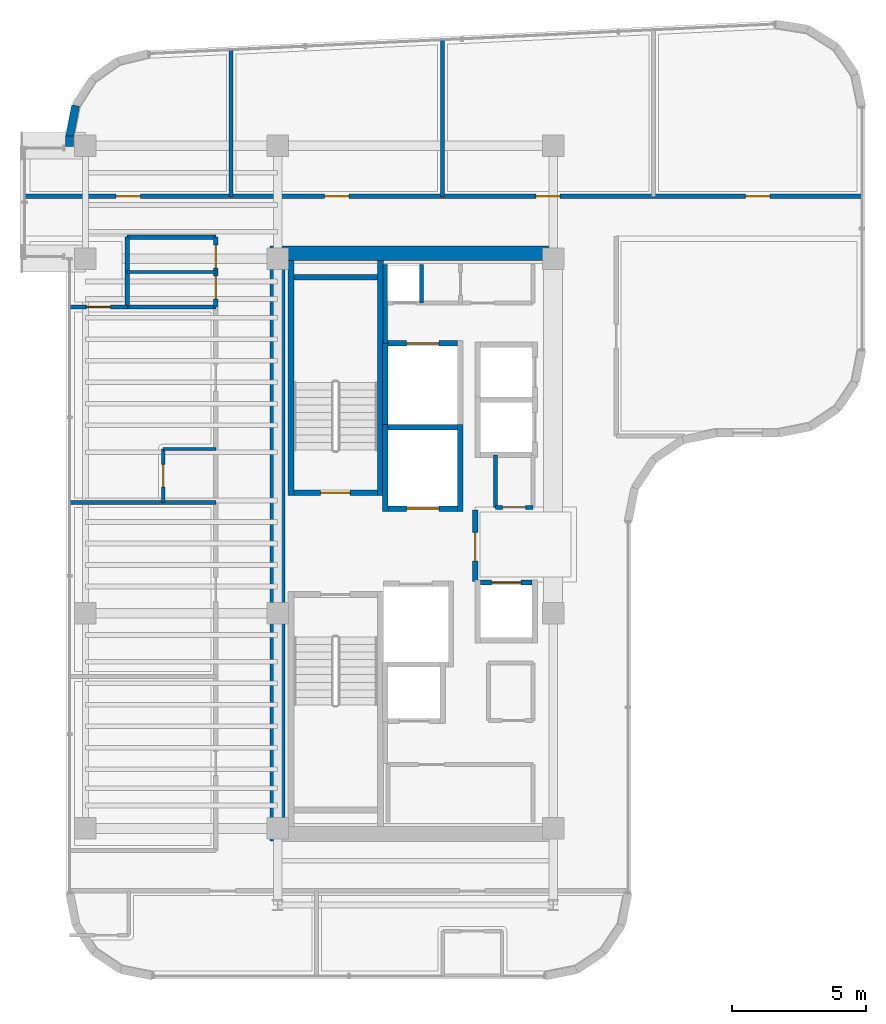
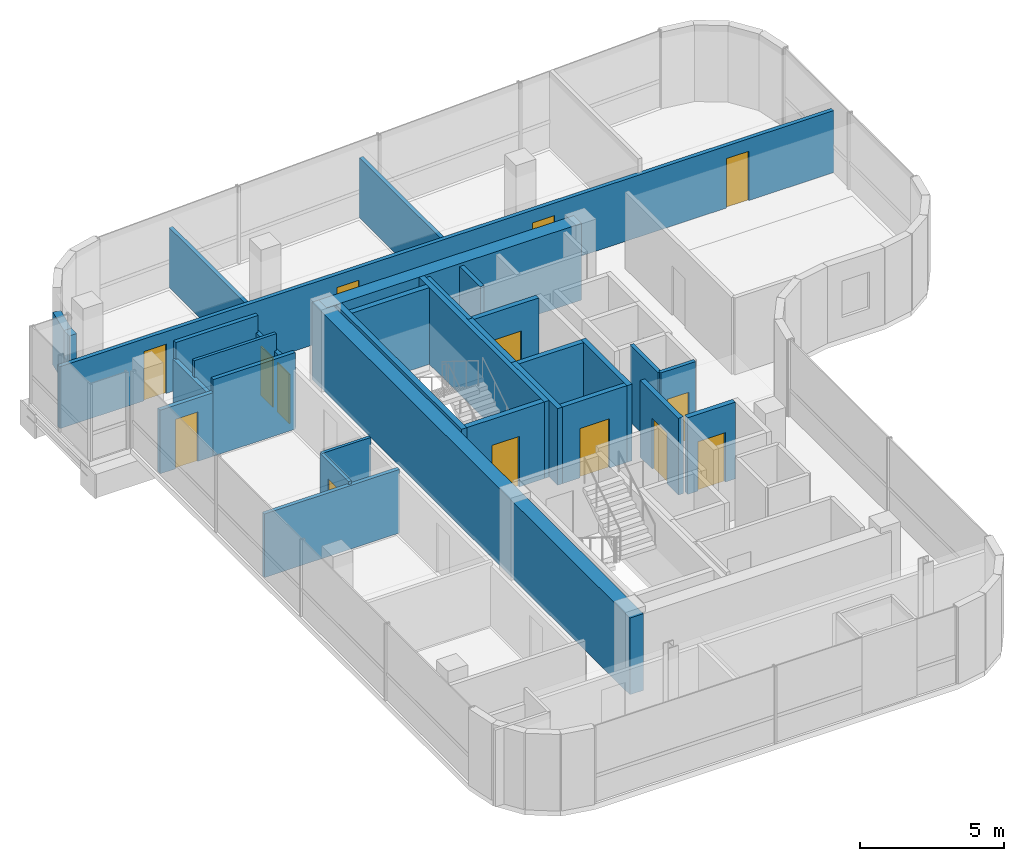
# One storey, part 17 of 21: 32 walls, 14 doors, 14 openings.
"""IFC4 building model written with IfcOpenShell, lengths in metres."""

import ifcopenshell
import ifcopenshell.guid

model = None  # the IFC model being written
_history = None  # IfcOwnerHistory: only IFC2X3 demands one
_inside = {}  # id of a spatial element -> (the spatial element, [elements in it])
_under = {}  # id of a project, library or spatial element -> (it, [spatial elements below it])
_declared = {}  # id of a project -> (the project, [libraries it declares])
_typed = {}  # id of a type object -> (the type object, [elements of that type])
_made_of = {}  # id of a material, layer set ... -> (it, [elements and type objects made of it])


def new_model(schema):
    """Start an empty IFC model of exactly this schema.

    Asked for "IFC4X3", IfcOpenShell would pick the latest addendum, in which some entities
    have other attributes; the version numbers below select the first issue.
    IFC2X3 requires an IfcOwnerHistory on every rooted entity: one is made here for all.
    """
    global model, _history
    if schema == "IFC4X3":
        model = ifcopenshell.file(schema_version=(4, 3, 0, 0))
    else:
        model = ifcopenshell.file(schema=schema)
    _inside.clear()
    _under.clear()
    _declared.clear()
    _typed.clear()
    _made_of.clear()
    _history = None
    if model.schema == "IFC2X3":
        org = make("IfcOrganization", Name="unknown")
        user = make(
            "IfcPersonAndOrganization",
            ThePerson=make("IfcPerson", FamilyName="unknown"),
            TheOrganization=org,
        )
        app = make(
            "IfcApplication",
            ApplicationDeveloper=org,
            Version="unknown",
            ApplicationFullName="unknown",
            ApplicationIdentifier="unknown",
        )
        _history = make(
            "IfcOwnerHistory",
            OwningUser=user,
            OwningApplication=app,
            ChangeAction="ADDED",
            CreationDate=0,
        )
    return model


def make(cls, **values):
    """One entity of the class cls with the attributes given. An attribute that is None is left unset."""
    return model.create_entity(
        cls, **{name: value for name, value in values.items() if value is not None}
    )


def rooted(cls, **values):
    """An entity with a GlobalId (a new one), such as an element, a storey or a relation."""
    return make(cls, GlobalId=ifcopenshell.guid.new(), OwnerHistory=_history, **values)


def si_unit(unit_type, name, prefix=None):
    """IfcSIUnit, for example si_unit("LENGTHUNIT", "METRE", prefix="MILLI")."""
    return make("IfcSIUnit", UnitType=unit_type, Prefix=prefix, Name=name)


def assignment(units):
    """IfcUnitAssignment: the units of a project."""
    return None if units is None else make("IfcUnitAssignment", Units=units)


def point(xyz):
    """IfcCartesianPoint."""
    return None if xyz is None else make("IfcCartesianPoint", Coordinates=xyz)


def direction(xyz):
    """IfcDirection."""
    return None if xyz is None else make("IfcDirection", DirectionRatios=xyz)


def frame(location, z_axis=None, x_axis=None):
    """IfcAxis2Placement3D, a coordinate frame: its origin and axes. An axis left out is left unset."""
    return make(
        "IfcAxis2Placement3D",
        Location=point(location),
        Axis=direction(z_axis),
        RefDirection=direction(x_axis),
    )


def frame_2d(location, x_axis=None):
    """IfcAxis2Placement2D, a coordinate frame in the plane: its origin and x axis."""
    return make(
        "IfcAxis2Placement2D", Location=point(location), RefDirection=direction(x_axis)
    )


def origin():
    """The frame at (0, 0, 0) with its axes left unset."""
    return frame((0.0, 0.0, 0.0))


def place(relative_to, where):
    """IfcLocalPlacement: puts the frame where relative to a parent placement (None: the world)."""
    return make(
        "IfcLocalPlacement", PlacementRelTo=relative_to, RelativePlacement=where
    )


def context(
    kind, dimensions, precision=None, world=None, true_north=None, identifier=None
):
    """IfcGeometricRepresentationContext, for example the 3D "Model" context."""
    return make(
        "IfcGeometricRepresentationContext",
        ContextIdentifier=identifier,
        ContextType=kind,
        CoordinateSpaceDimension=dimensions,
        Precision=precision,
        WorldCoordinateSystem=world,
        TrueNorth=true_north,
    )


def subcontext(parent, identifier, kind, view, scale=None):
    """IfcGeometricRepresentationSubContext, for example "Body" below "Model"."""
    return make(
        "IfcGeometricRepresentationSubContext",
        ContextIdentifier=identifier,
        ContextType=kind,
        ParentContext=parent,
        TargetScale=scale,
        TargetView=view,
    )


def project(units=None, contexts=None):
    """IfcProject with its units and contexts."""
    return rooted(
        "IfcProject",
        Name="project",
        RepresentationContexts=contexts,
        UnitsInContext=assignment(units),
    )


def spatial(cls, under=None, at=None, **own):
    """A site, building, storey or space (cls), placed at a placement, below another one or the project."""
    s = rooted(cls, ObjectPlacement=at, **own)
    if under is not None:
        _under.setdefault(under.id(), (under, []))[1].append(s)
    return s


def profile(cls, at=None, kind="AREA", **sizes):
    """A parametric profile (cls). Its sizes go by their IFC names, for example OverallWidth=200.0."""
    return make(cls, ProfileType=kind, Position=at, **sizes)


def rectangle(**sizes):
    """IfcRectangleProfileDef."""
    return profile("IfcRectangleProfileDef", **sizes)


def extrude(swept, where, along, depth):
    """IfcExtrudedAreaSolid: the profile swept, set in the frame where, extruded along a direction by depth."""
    return make(
        "IfcExtrudedAreaSolid",
        SweptArea=swept,
        Position=where,
        ExtrudedDirection=direction(along),
        Depth=depth,
    )


def shape(context_of_items, identifier, shape_type, items):
    """IfcShapeRepresentation: the items that make up one representation, for example the "Body"."""
    return make(
        "IfcShapeRepresentation",
        ContextOfItems=context_of_items,
        RepresentationIdentifier=identifier,
        RepresentationType=shape_type,
        Items=items,
    )


def material(Name=None, Category=None):
    """IfcMaterial."""
    return make("IfcMaterial", Name=Name, Category=Category)


def layer(
    of_material, thickness, ventilated=None, Name=None, Category=None, Priority=None
):
    """IfcMaterialLayer: one layer of a wall or slab, of a material (None: an air gap)."""
    return make(
        "IfcMaterialLayer",
        Material=of_material,
        LayerThickness=thickness,
        IsVentilated=ventilated,
        Name=Name,
        Category=Category,
        Priority=Priority,
    )


def layer_set(layers, Name=None):
    """IfcMaterialLayerSet."""
    return make("IfcMaterialLayerSet", MaterialLayers=layers, LayerSetName=Name)


def made_of(thing, what):
    """Note that an element or type object is made of a material, layer set ...; save() writes the relation."""
    if what is not None:
        _made_of.setdefault(what.id(), (what, []))[1].append(thing)
    return thing


def type_object(cls, material=None, **own):
    """A type object (cls), such as IfcWallType, which elements share."""
    return made_of(rooted(cls, **own), material)


def element(
    cls,
    number,
    at=None,
    inside=None,
    cuts=None,
    type_object=None,
    material=None,
    context=None,
    identifier="Body",
    shape_type=None,
    held_by="IfcProductDefinitionShape",
    body=None,
    shapes=None,
    **own,
):
    """One element of the class cls, such as IfcWall. Its Tag is "e" and its number.

    at: its placement. inside: the storey or other place that contains it. cuts: it is an
    opening in that element (IfcRelVoidsElement). A single representation is given by context,
    identifier, shape_type and body (its items); several are given by shapes. held_by: the class
    of the entity that holds the representations. save() writes the other relations.
    """
    e = rooted(cls, Tag="e%d" % number, ObjectPlacement=at, **own)
    if body is not None:
        shapes = [shape(context, identifier, shape_type, body)]
    if shapes is not None:
        e.Representation = make(held_by, Representations=shapes)
    if inside is not None:
        _inside.setdefault(inside.id(), (inside, []))[1].append(e)
    if cuts is not None:
        rooted(
            "IfcRelVoidsElement", RelatingBuildingElement=cuts, RelatedOpeningElement=e
        )
    if type_object is not None:
        _typed.setdefault(type_object.id(), (type_object, []))[1].append(e)
    return made_of(e, material)


def fill(opening, filler):
    """IfcRelFillsElement: the door or window that sits in an opening."""
    return rooted(
        "IfcRelFillsElement",
        RelatingOpeningElement=opening,
        RelatedBuildingElement=filler,
    )


def aggregate(whole, parts):
    """IfcRelAggregates: a whole, such as a stair, and the parts it consists of."""
    return rooted("IfcRelAggregates", RelatingObject=whole, RelatedObjects=parts)


def save(model, path):
    """Write the relations noted so far, then the file.

    IfcRelAggregates (storeys below a building ...), IfcRelContainedInSpatialStructure (elements
    in a storey), IfcRelDefinesByType, IfcRelAssociatesMaterial and IfcRelDeclares: one each for
    every whole, place, type object, material and project.
    """
    for whole, parts in _under.values():
        aggregate(whole, parts)
    for where, things in _inside.values():
        rooted(
            "IfcRelContainedInSpatialStructure",
            RelatedElements=things,
            RelatingStructure=where,
        )
    for kind, things in _typed.values():
        rooted("IfcRelDefinesByType", RelatedObjects=things, RelatingType=kind)
    for what, things in _made_of.values():
        rooted("IfcRelAssociatesMaterial", RelatedObjects=things, RelatingMaterial=what)
    for by, libraries in _declared.values():
        rooted("IfcRelDeclares", RelatingContext=by, RelatedDefinitions=libraries)
    model.write(path)


model = new_model("IFC4")

# Units and contexts
model_context = context("Model", 3, precision=1e-05, world=origin(), true_north=direction((0.0, 1.0)))
body_context = subcontext(model_context, "Body", "Model", "MODEL_VIEW")
ifc_project = project(units=[si_unit("LENGTHUNIT", "METRE"), si_unit("AREAUNIT", "SQUARE_METRE"), si_unit("VOLUMEUNIT", "CUBIC_METRE"), si_unit("PLANEANGLEUNIT", "RADIAN"), si_unit("MASSUNIT", "GRAM", prefix="KILO")], contexts=[model_context])

# Site, building, storey
site_placement = place(None, origin())
site = spatial("IfcSite", under=ifc_project, at=site_placement, CompositionType="ELEMENT")
building_placement = place(site_placement, origin())
building = spatial("IfcBuilding", under=site, at=building_placement, Name="Valdorenza Pilgrim Sanctuary Tower", CompositionType="ELEMENT")
storey_placement = place(building_placement, frame((0.0, 0.0, 254.5)))
storey = spatial("IfcBuildingStorey", under=building, at=storey_placement, Name="L66", CompositionType="ELEMENT", Elevation=254.5)

# Walls
ifc_material_1 = material(Name="Acoustic twin-stud gypsum partition", Category="gypsum")
ifc_layer_1 = layer(ifc_material_1, 0.159912109375, Name="Acoustic twin-stud gypsum partition")
ifc_layer_set_1 = layer_set([ifc_layer_1], Name="Acoustic twin-stud gypsum partition")
wall_type_1 = type_object("IfcWallType", Name="WAL-COR-160", PredefinedType="PARTITIONING", material=ifc_layer_set_1)
wall_1_placement = place(storey_placement, frame((-18.64990234375, 7.449951171875, 0.0), z_axis=(0.0, 0.0, 1.0), x_axis=(0.0, 1.0, 0.0)))
element("IfcWall", 1, at=wall_1_placement, inside=storey, type_object=wall_type_1, Name="L66 Core A North Service West Wall", PredefinedType="PARTITIONING", context=body_context, shape_type="SweptSolid", body=[
    extrude(rectangle(XDim=2.929931640625, YDim=0.159912109375, at=frame_2d((1.46484375, 0.0))), origin(), (0.0, 0.0, 1.0), 3.260009765625),
])
wall_2_placement = place(storey_placement, frame((-17.300048828125, 8.949951171875, 0.0), z_axis=(0.0, 0.0, 1.0), x_axis=(0.0, 1.0, 0.0)))
element("IfcWall", 2, at=wall_2_placement, inside=storey, type_object=wall_type_1, Name="L66 Core Electrical Riser Wall", PredefinedType="PARTITIONING", context=body_context, shape_type="SweptSolid", body=[
    extrude(rectangle(XDim=1.429931640625, YDim=0.159912109375, at=frame_2d((0.71484375, 0.0))), origin(), (0.0, 0.0, 1.0), 3.260009765625),
])
wall_3_placement = place(storey_placement, frame((-28.25, 8.800048828125, 0.0), z_axis=(0.0, 0.0, 1.0), x_axis=(0.0, 1.0, 0.0)))
element("IfcWall", 3, at=wall_3_placement, inside=storey, type_object=wall_type_1, Name="L66 Washroom West Wall", PredefinedType="PARTITIONING", context=body_context, shape_type="SweptSolid", body=[
    extrude(rectangle(XDim=2.599853515625, YDim=0.159912109375, at=frame_2d((1.2998046875, 0.0))), origin(), (0.0, 0.0, 1.0), 2.5439453125),
])

# Wall, openings, doors
wall_4_placement = place(storey_placement, frame((-24.949951171875, 8.800048828125, 0.0), z_axis=(0.0, 0.0, 1.0), x_axis=(0.0, 1.0, 0.0)))
wall_4 = element("IfcWall", 4, at=wall_4_placement, inside=storey, type_object=wall_type_1, Name="L66 Washroom East Wall", PredefinedType="PARTITIONING", context=body_context, shape_type="SweptSolid", body=[
    extrude(rectangle(XDim=2.599853515625, YDim=0.159912109375, at=frame_2d((1.2998046875, 0.0))), origin(), (0.0, 0.0, 1.0), 2.5439453125),
])
opening_1_placement = place(wall_4_placement, frame((0.300048828125, 0.0, 0.0)))
opening_1 = element("IfcOpeningElement", 5, at=opening_1_placement, cuts=wall_4, Name="Opening DR-WC1", PredefinedType="OPENING", context=body_context, shape_type="SweptSolid", body=[
    extrude(rectangle(XDim=0.85009765625, YDim=2.10009765625, at=frame_2d((0.425048828125, 1.050048828125))), frame((0.0, 0.0947265625, 0.0), z_axis=(0.0, -1.0, 0.0), x_axis=(1.0, 0.0, 0.0)), (0.0, 0.0, 1.0), 0.189697265625),
])
opening_2_placement = place(wall_4_placement, frame((1.449951171875, 0.0, 0.0)))
opening_2 = element("IfcOpeningElement", 6, at=opening_2_placement, cuts=wall_4, Name="Opening DR-WC1", PredefinedType="OPENING", context=body_context, shape_type="SweptSolid", body=[
    extrude(rectangle(XDim=0.85009765625, YDim=2.10009765625, at=frame_2d((0.425048828125, 1.050048828125))), frame((0.0, 0.0947265625, 0.0), z_axis=(0.0, -1.0, 0.0), x_axis=(1.0, 0.0, 0.0)), (0.0, 0.0, 1.0), 0.189697265625),
])
ifc_material_2 = material(Name="Moisture-resistant lacquered timber", Category="wood")
door_type_1 = type_object("IfcDoorType", Name="DR-BATH-850", OperationType="NOTDEFINED", PredefinedType="DOOR", material=ifc_material_2)
door_1_placement = place(opening_1_placement, origin())
door_1 = element("IfcDoor", 7, at=door_1_placement, inside=storey, type_object=door_type_1, Name="L66 Accessible Washroom Door", OperationType="SINGLE_SWING_LEFT", OverallHeight=2.10009765625, OverallWidth=0.85009765625, PredefinedType="DOOR", context=body_context, shape_type="SweptSolid", body=[
    extrude(rectangle(XDim=0.85009765625, YDim=2.10009765625, at=frame_2d((0.425048828125, 1.050048828125))), frame((0.0, 0.02490234375, 0.0), z_axis=(0.0, -1.0, 0.0), x_axis=(1.0, 0.0, 0.0)), (0.0, 0.0, 1.0), 0.050048828125),
])
fill(opening_1, door_1)
door_2_placement = place(opening_2_placement, origin())
door_2 = element("IfcDoor", 8, at=door_2_placement, inside=storey, type_object=door_type_1, Name="L66 Public Washroom Door", OperationType="SINGLE_SWING_RIGHT", OverallHeight=2.10009765625, OverallWidth=0.85009765625, PredefinedType="DOOR", context=body_context, shape_type="SweptSolid", body=[
    extrude(rectangle(XDim=0.85009765625, YDim=2.10009765625, at=frame_2d((0.425048828125, 1.050048828125))), frame((0.0, 0.02490234375, 0.0), z_axis=(0.0, -1.0, 0.0), x_axis=(1.0, 0.0, 0.0)), (0.0, 0.0, 1.0), 0.050048828125),
])
fill(opening_2, door_2)

# Walls
for number, where, z_axis, x_axis, name in (
    (9, (-28.25, 8.800048828125, 0.0), (0.0, 0.0, 1.0), (1.0, 0.0, 0.0), "L66 Washroom South Wall"),
    (10, (-28.25, 11.39990234375, 0.0), (0.0, 0.0, 1.0), (1.0, 0.0, 0.0), "L66 Washroom North Wall"),
):
    element("IfcWall", number, at=place(storey_placement, frame(where, z_axis=z_axis, x_axis=x_axis)), inside=storey, type_object=wall_type_1, Name=name, PredefinedType="PARTITIONING", context=body_context, shape_type="SweptSolid", body=[
        extrude(rectangle(XDim=3.300048828125, YDim=0.159912109375, at=frame_2d((1.64990234375, 0.0))), origin(), (0.0, 0.0, 1.0), 3.260009765625),
    ])

# Wall, opening, door
wall_5_placement = place(storey_placement, frame((-30.389892578125, 8.800048828125, 0.0), z_axis=(0.0, 0.0, 1.0), x_axis=(1.0, 0.0, 0.0)))
wall_5 = element("IfcWall", 11, at=wall_5_placement, inside=storey, type_object=wall_type_1, Name="L66 West North Alcove Wall", PredefinedType="PARTITIONING", context=body_context, shape_type="SweptSolid", body=[
    extrude(rectangle(XDim=2.139892578125, YDim=0.159912109375, at=frame_2d((1.06982421875, 0.0))), origin(), (0.0, 0.0, 1.0), 2.7060546875),
])
opening_3_placement = place(wall_5_placement, frame((0.6201171875, 0.0, 0.0)))
opening_3 = element("IfcOpeningElement", 12, at=opening_3_placement, cuts=wall_5, Name="Opening DR-RM1", PredefinedType="OPENING", context=body_context, shape_type="SweptSolid", body=[
    extrude(rectangle(XDim=0.89990234375, YDim=2.10009765625, at=frame_2d((0.449951171875, 1.050048828125))), frame((0.0, 0.0947265625, 0.0), z_axis=(0.0, -1.0, 0.0), x_axis=(1.0, 0.0, 0.0)), (0.0, 0.0, 1.0), 0.189697265625),
])
ifc_material_3 = material(Name="Solid-core European oak timber", Category="wood")
door_type_2 = type_object("IfcDoorType", Name="DR-ROOM-900", OperationType="NOTDEFINED", PredefinedType="DOOR", material=ifc_material_3)
door_3_placement = place(opening_3_placement, frame((0.89990234375, 0.0, 0.0), z_axis=(0.0, 0.0, 1.0), x_axis=(-1.0, 0.0, 0.0)))
door_3 = element("IfcDoor", 13, at=door_3_placement, inside=storey, type_object=door_type_2, Name="L66 Pilgrim Scholar Office L66-WN Door", OperationType="SINGLE_SWING_LEFT", OverallHeight=2.10009765625, OverallWidth=0.89990234375, PredefinedType="DOOR", context=body_context, shape_type="SweptSolid", body=[
    extrude(rectangle(XDim=0.89990234375, YDim=2.10009765625, at=frame_2d((0.449951171875, 1.050048828125))), frame((0.0, 0.02490234375, 0.0), z_axis=(0.0, -1.0, 0.0), x_axis=(1.0, 0.0, 0.0)), (0.0, 0.0, 1.0), 0.050048828125),
])
fill(opening_3, door_3)

# Wall, openings, doors
wall_6_placement = place(storey_placement, frame((-32.0400390625, 12.919921875, 0.0), z_axis=(0.0, 0.0, 1.0), x_axis=(1.0, 0.0, 0.0)))
wall_6 = element("IfcWall", 14, at=wall_6_placement, inside=storey, type_object=wall_type_1, Name="L66 North Corridor Wall", PredefinedType="PARTITIONING", context=body_context, shape_type="SweptSolid", body=[
    extrude(rectangle(XDim=31.130126953125, YDim=0.159912109375, at=frame_2d((15.56494140625, 0.0))), origin(), (0.0, 0.0, 1.0), 2.634033203125),
])
opening_4_placement = place(wall_6_placement, frame((3.3798828125, 0.0, 0.0)))
opening_4 = element("IfcOpeningElement", 15, at=opening_4_placement, cuts=wall_6, Name="Opening DR-RM1", PredefinedType="OPENING", context=body_context, shape_type="SweptSolid", body=[
    extrude(rectangle(XDim=0.89990234375, YDim=2.10009765625, at=frame_2d((0.449951171875, 1.050048828125))), frame((0.0, 0.0947265625, 0.0), z_axis=(0.0, -1.0, 0.0), x_axis=(1.0, 0.0, 0.0)), (0.0, 0.0, 1.0), 0.189697265625),
])
opening_5_placement = place(wall_6_placement, frame((11.139892578125, 0.0, 0.0)))
opening_5 = element("IfcOpeningElement", 16, at=opening_5_placement, cuts=wall_6, Name="Opening DR-RM1", PredefinedType="OPENING", context=body_context, shape_type="SweptSolid", body=[
    extrude(rectangle(XDim=0.89990234375, YDim=2.10009765625, at=frame_2d((0.449951171875, 1.050048828125))), frame((0.0, 0.0947265625, 0.0), z_axis=(0.0, -1.0, 0.0), x_axis=(1.0, 0.0, 0.0)), (0.0, 0.0, 1.0), 0.189697265625),
])
opening_6_placement = place(wall_6_placement, frame((19.0, 0.0, 0.0)))
opening_6 = element("IfcOpeningElement", 17, at=opening_6_placement, cuts=wall_6, Name="Opening DR-RM1", PredefinedType="OPENING", context=body_context, shape_type="SweptSolid", body=[
    extrude(rectangle(XDim=0.89990234375, YDim=2.10009765625, at=frame_2d((0.449951171875, 1.050048828125))), frame((0.0, 0.0947265625, 0.0), z_axis=(0.0, -1.0, 0.0), x_axis=(1.0, 0.0, 0.0)), (0.0, 0.0, 1.0), 0.189697265625),
])
opening_7_placement = place(wall_6_placement, frame((26.804931640625, 0.0, 0.0)))
opening_7 = element("IfcOpeningElement", 18, at=opening_7_placement, cuts=wall_6, Name="Opening DR-RM1", PredefinedType="OPENING", context=body_context, shape_type="SweptSolid", body=[
    extrude(rectangle(XDim=0.89990234375, YDim=2.10009765625, at=frame_2d((0.449951171875, 1.050048828125))), frame((0.0, 0.0947265625, 0.0), z_axis=(0.0, -1.0, 0.0), x_axis=(1.0, 0.0, 0.0)), (0.0, 0.0, 1.0), 0.189697265625),
])
door_4_placement = place(opening_4_placement, origin())
door_4 = element("IfcDoor", 19, at=door_4_placement, inside=storey, type_object=door_type_2, Name="L66 Sanctuary Administration Office L66-N1 Door", OperationType="SINGLE_SWING_RIGHT", OverallHeight=2.10009765625, OverallWidth=0.89990234375, PredefinedType="DOOR", context=body_context, shape_type="SweptSolid", body=[
    extrude(rectangle(XDim=0.89990234375, YDim=2.10009765625, at=frame_2d((0.449951171875, 1.050048828125))), frame((0.0, 0.02490234375, 0.0), z_axis=(0.0, -1.0, 0.0), x_axis=(1.0, 0.0, 0.0)), (0.0, 0.0, 1.0), 0.050048828125),
])
fill(opening_4, door_4)
door_5_placement = place(opening_5_placement, frame((0.89990234375, 0.0, 0.0), z_axis=(0.0, 0.0, 1.0), x_axis=(-1.0, 0.0, 0.0)))
door_5 = element("IfcDoor", 20, at=door_5_placement, inside=storey, type_object=door_type_2, Name="L66 Sanctuary Administration Office L66-N2 Door", OperationType="SINGLE_SWING_LEFT", OverallHeight=2.10009765625, OverallWidth=0.89990234375, PredefinedType="DOOR", context=body_context, shape_type="SweptSolid", body=[
    extrude(rectangle(XDim=0.89990234375, YDim=2.10009765625, at=frame_2d((0.449951171875, 1.050048828125))), frame((0.0, 0.02490234375, 0.0), z_axis=(0.0, -1.0, 0.0), x_axis=(1.0, 0.0, 0.0)), (0.0, 0.0, 1.0), 0.050048828125),
])
fill(opening_5, door_5)
door_6_placement = place(opening_6_placement, origin())
door_6 = element("IfcDoor", 21, at=door_6_placement, inside=storey, type_object=door_type_2, Name="L66 Sanctuary Administration Office L66-N3 Door", OperationType="SINGLE_SWING_RIGHT", OverallHeight=2.10009765625, OverallWidth=0.89990234375, PredefinedType="DOOR", context=body_context, shape_type="SweptSolid", body=[
    extrude(rectangle(XDim=0.89990234375, YDim=2.10009765625, at=frame_2d((0.449951171875, 1.050048828125))), frame((0.0, 0.02490234375, 0.0), z_axis=(0.0, -1.0, 0.0), x_axis=(1.0, 0.0, 0.0)), (0.0, 0.0, 1.0), 0.050048828125),
])
fill(opening_6, door_6)
door_7_placement = place(opening_7_placement, frame((0.89990234375, 0.0, 0.0), z_axis=(0.0, 0.0, 1.0), x_axis=(-1.0, 0.0, 0.0)))
door_7 = element("IfcDoor", 22, at=door_7_placement, inside=storey, type_object=door_type_2, Name="L66 Sanctuary Administration Office L66-N4 Door", OperationType="SINGLE_SWING_LEFT", OverallHeight=2.10009765625, OverallWidth=0.89990234375, PredefinedType="DOOR", context=body_context, shape_type="SweptSolid", body=[
    extrude(rectangle(XDim=0.89990234375, YDim=2.10009765625, at=frame_2d((0.449951171875, 1.050048828125))), frame((0.0, 0.02490234375, 0.0), z_axis=(0.0, -1.0, 0.0), x_axis=(1.0, 0.0, 0.0)), (0.0, 0.0, 1.0), 0.050048828125),
])
fill(opening_7, door_7)

# Walls
ifc_material_4 = material(Name="Concrete C50/60", Category="concrete")
ifc_layer_2 = layer(ifc_material_4, 0.550048828125, Name="Concrete C50/60")
ifc_layer_set_2 = layer_set([ifc_layer_2], Name="Concrete C50/60")
wall_type_2 = type_object("IfcWallType", Name="WAL-COR-550", PredefinedType="SHEAR", material=ifc_layer_set_2)
wall_7_placement = place(storey_placement, frame((-22.64990234375, -11.074951171875, 0.0), z_axis=(0.0, 0.0, 1.0), x_axis=(0.0, 1.0, 0.0)))
element("IfcWall", 23, at=wall_7_placement, inside=storey, type_object=wall_type_2, Name="L66 Split Core A Shear Wall W", PredefinedType="SHEAR", context=body_context, shape_type="SweptSolid", body=[
    extrude(rectangle(XDim=22.14990234375, YDim=0.550048828125, at=frame_2d((11.074951171875, 0.0))), origin(), (0.0, 0.0, 1.0), 3.260009765625),
])
wall_8_placement = place(storey_placement, frame((-22.64990234375, 10.800048828125, 0.0), z_axis=(0.0, 0.0, 1.0), x_axis=(1.0, 0.0, 0.0)))
element("IfcWall", 24, at=wall_8_placement, inside=storey, type_object=wall_type_2, Name="L66 Split Core A Shear Wall N", PredefinedType="SHEAR", context=body_context, shape_type="SweptSolid", body=[
    extrude(rectangle(XDim=10.25, YDim=0.550048828125, at=frame_2d((5.125, 0.0))), origin(), (0.0, 0.0, 1.0), 3.260009765625),
])
ifc_material_5 = material(Name="Honed travertine limestone", Category="masonry")
ifc_layer_3 = layer(ifc_material_5, 0.300048828125, Name="Honed travertine limestone")
ifc_layer_set_3 = layer_set([ifc_layer_3], Name="Honed travertine limestone")
wall_type_3 = type_object("IfcWallType", Name="WAL-EXT-300", PredefinedType="SOLIDWALL", material=ifc_layer_set_3)
wall_9_placement = place(storey_placement, frame((-30.389892578125, 14.780029296875, 0.0), z_axis=(0.0, 0.0, 1.0), x_axis=(0.0, 1.0, 0.0)))
element("IfcWall", 25, at=wall_9_placement, inside=storey, type_object=wall_type_3, Name="L66 Facade Box Closure Stone Jamb 2", PredefinedType="SOLIDWALL", context=body_context, shape_type="SweptSolid", body=[
    extrude(rectangle(XDim=0.376708984375, YDim=0.300048828125, at=frame_2d((0.1884765625, 0.0))), origin(), (0.0, 0.0, 1.0), 2.2451171875),
])
wall_10_placement = place(storey_placement, frame((-30.389892578125, 15.13671875, 0.0), z_axis=(0.0, 0.0, 1.0), x_axis=(0.189307792679, 0.981917796779, 0.0)))
element("IfcWall", 26, at=wall_10_placement, inside=storey, type_object=wall_type_3, Name="L66 Rounded Wind-Corner Stone Pier 2", PredefinedType="SOLIDWALL", context=body_context, shape_type="SweptSolid", body=[
    extrude(rectangle(XDim=1.179931640625, YDim=0.300048828125, at=frame_2d((0.58984375, 0.0))), origin(), (0.0, 0.0, 1.0), 2.2451171875),
])

# Wall, opening, door
ifc_material_6 = material(Name="Gypsum shaftwall partition", Category="gypsum")
ifc_layer_4 = layer(ifc_material_6, 0.199951171875, Name="Gypsum shaftwall partition")
ifc_layer_set_4 = layer_set([ifc_layer_4], Name="Gypsum shaftwall partition")
wall_type_4 = type_object("IfcWallType", Name="WAL-FFL-200", PredefinedType="PARTITIONING", material=ifc_layer_set_4)
wall_11_placement = place(storey_placement, frame((-15.300048828125, -1.419921875, 0.0), z_axis=(0.0, 0.0, 1.0), x_axis=(0.0, 1.0, 0.0)))
wall_11 = element("IfcWall", 27, at=wall_11_placement, inside=storey, type_object=wall_type_4, Name="L66 Core A Firefighting Lobby East Wall", PredefinedType="PARTITIONING", context=body_context, shape_type="SweptSolid", body=[
    extrude(rectangle(XDim=2.669921875, YDim=0.199951171875, at=frame_2d((1.3349609375, 0.0))), origin(), (0.0, 0.0, 1.0), 3.260009765625),
])
opening_8_placement = place(wall_11_placement, frame((0.780029296875, 0.0, 0.0)))
opening_8 = element("IfcOpeningElement", 28, at=opening_8_placement, cuts=wall_11, Name="Opening DR-FL1", PredefinedType="OPENING", context=body_context, shape_type="SweptSolid", body=[
    extrude(rectangle(XDim=1.050048828125, YDim=2.14990234375, at=frame_2d((0.52490234375, 1.074951171875))), frame((0.0, 0.11474609375, 0.0), z_axis=(0.0, -1.0, 0.0), x_axis=(1.0, 0.0, 0.0)), (0.0, 0.0, 1.0), 0.229736328125),
])
ifc_material_7 = material(Name="Painted galvanized steel", Category="steel")
door_type_3 = type_object("IfcDoorType", Name="DR-FFL-1050", OperationType="NOTDEFINED", PredefinedType="DOOR", material=ifc_material_7)
door_8_placement = place(opening_8_placement, origin())
door_8 = element("IfcDoor", 29, at=door_8_placement, inside=storey, type_object=door_type_3, Name="L66 Core A Firefighting Lobby Door", OperationType="SINGLE_SWING_RIGHT", OverallHeight=2.14990234375, OverallWidth=1.050048828125, PredefinedType="DOOR", context=body_context, shape_type="SweptSolid", body=[
    extrude(rectangle(XDim=1.050048828125, YDim=2.14990234375, at=frame_2d((0.52490234375, 1.074951171875))), frame((0.0, 0.02490234375, 0.0), z_axis=(0.0, -1.0, 0.0), x_axis=(1.0, 0.0, 0.0)), (0.0, 0.0, 1.0), 0.050048828125),
])
fill(opening_8, door_8)

# Walls
ifc_material_8 = material(Name="Moisture-resistant gypsum partition", Category="gypsum")
ifc_layer_5 = layer(ifc_material_8, 0.1201171875, Name="Moisture-resistant gypsum partition")
ifc_layer_set_5 = layer_set([ifc_layer_5], Name="Moisture-resistant gypsum partition")
wall_type_5 = type_object("IfcWallType", Name="WAL-INT-120", PredefinedType="PARTITIONING", material=ifc_layer_set_5)
wall_12_placement = place(storey_placement, frame((-28.25, 10.10009765625, 0.0), z_axis=(0.0, 0.0, 1.0), x_axis=(1.0, 0.0, 0.0)))
element("IfcWall", 30, at=wall_12_placement, inside=storey, type_object=wall_type_5, Name="L66 Washroom Divider Wall", PredefinedType="PARTITIONING", context=body_context, shape_type="SweptSolid", body=[
    extrude(rectangle(XDim=3.300048828125, YDim=0.1201171875, at=frame_2d((1.64990234375, 0.0))), origin(), (0.0, 0.0, 1.0), 3.260009765625),
])
wall_13_placement = place(storey_placement, frame((-26.907958984375, 3.52099609375, 0.0), z_axis=(0.0, 0.0, 1.0), x_axis=(1.0, 0.0, 0.0)))
element("IfcWall", 31, at=wall_13_placement, inside=storey, type_object=wall_type_5, Name="L66 Sanctuary Guest Room L66-HW1 En-suite North Wall", PredefinedType="PARTITIONING", context=body_context, shape_type="SweptSolid", body=[
    extrude(rectangle(XDim=1.9580078125, YDim=0.1201171875, at=frame_2d((0.97900390625, 0.0))), origin(), (0.0, 0.0, 1.0), 2.839111328125),
])

# Wall, opening, door
wall_14_placement = place(storey_placement, frame((-26.907958984375, 1.52099609375, 0.0), z_axis=(0.0, 0.0, 1.0), x_axis=(0.0, 1.0, 0.0)))
wall_14 = element("IfcWall", 32, at=wall_14_placement, inside=storey, type_object=wall_type_5, Name="L66 Sanctuary Guest Room L66-HW1 En-suite Door Wall", PredefinedType="PARTITIONING", context=body_context, shape_type="SweptSolid", body=[
    extrude(rectangle(XDim=2.0, YDim=0.1201171875, at=frame_2d((1.0, 0.0))), origin(), (0.0, 0.0, 1.0), 2.839111328125),
])
opening_9_placement = place(wall_14_placement, frame((0.574951171875, 0.0, 0.0)))
opening_9 = element("IfcOpeningElement", 33, at=opening_9_placement, cuts=wall_14, Name="Opening DR-WC1", PredefinedType="OPENING", context=body_context, shape_type="SweptSolid", body=[
    extrude(rectangle(XDim=0.85009765625, YDim=2.10009765625, at=frame_2d((0.425048828125, 1.050048828125))), frame((0.0, 0.074951171875, 0.0), z_axis=(0.0, -1.0, 0.0), x_axis=(1.0, 0.0, 0.0)), (0.0, 0.0, 1.0), 0.14990234375),
])
door_9_placement = place(opening_9_placement, origin())
door_9 = element("IfcDoor", 34, at=door_9_placement, inside=storey, type_object=door_type_1, Name="L66 Sanctuary Guest Room L66-HW1 En-suite Bathroom Door", OperationType="SINGLE_SWING_LEFT", OverallHeight=2.10009765625, OverallWidth=0.85009765625, PredefinedType="DOOR", context=body_context, shape_type="SweptSolid", body=[
    extrude(rectangle(XDim=0.85009765625, YDim=2.10009765625, at=frame_2d((0.425048828125, 1.050048828125))), frame((0.0, 0.02490234375, 0.0), z_axis=(0.0, -1.0, 0.0), x_axis=(1.0, 0.0, 0.0)), (0.0, 0.0, 1.0), 0.050048828125),
])
fill(opening_9, door_9)

# Walls
ifc_material_9 = material(Name="Autoclaved aerated concrete blockwork", Category="masonry")
ifc_layer_6 = layer(ifc_material_9, 0.199951171875, Name="Autoclaved aerated concrete blockwork")
ifc_layer_set_6 = layer_set([ifc_layer_6], Name="Autoclaved aerated concrete blockwork")
wall_type_6 = type_object("IfcWallType", Name="WAL-SHF-200", PredefinedType="MOVABLE", material=ifc_layer_set_6)
for number, where, z_axis, x_axis, name in (
    (35, (-18.64990234375, 1.199951171875, 0.0), (0.0, 0.0, 1.0), (0.0, 1.0, 0.0), "L66 Lift FFL-01 Hoistway Wall West"),
    (36, (-15.85009765625, 1.199951171875, 0.0), (0.0, 0.0, 1.0), (0.0, 1.0, 0.0), "L66 Lift FFL-01 Hoistway Wall East"),
):
    element("IfcWall", number, at=place(storey_placement, frame(where, z_axis=z_axis, x_axis=x_axis)), inside=storey, type_object=wall_type_6, Name=name, PredefinedType="MOVABLE", context=body_context, shape_type="SweptSolid", body=[
        extrude(rectangle(XDim=3.22509765625, YDim=0.199951171875, at=frame_2d((1.612548828125, 0.0))), origin(), (0.0, 0.0, 1.0), 3.260009765625),
    ])

# Wall, opening, door
wall_15_placement = place(storey_placement, frame((-18.550048828125, 1.300048828125, 0.0), z_axis=(0.0, 0.0, 1.0), x_axis=(1.0, 0.0, 0.0)))
wall_15 = element("IfcWall", 37, at=wall_15_placement, inside=storey, type_object=wall_type_6, Name="L66 Lift FFL-01 Hoistway Wall South", PredefinedType="MOVABLE", context=body_context, shape_type="SweptSolid", body=[
    extrude(rectangle(XDim=2.60009765625, YDim=0.199951171875, at=frame_2d((1.300048828125, 0.0))), origin(), (0.0, 0.0, 1.0), 3.260009765625),
])
opening_10_placement = place(wall_15_placement, frame((0.699951171875, 0.0, 0.0)))
opening_10 = element("IfcOpeningElement", 38, at=opening_10_placement, cuts=wall_15, Name="Opening LD-02", PredefinedType="OPENING", context=body_context, shape_type="SweptSolid", body=[
    extrude(rectangle(XDim=1.199951171875, YDim=2.10009765625, at=frame_2d((0.60009765625, 1.050048828125))), frame((0.0, 0.11474609375, 0.0), z_axis=(0.0, -1.0, 0.0), x_axis=(1.0, 0.0, 0.0)), (0.0, 0.0, 1.0), 0.229736328125),
])
ifc_material_10 = material(Name="Brushed stainless steel Grade 316", Category="steel")
door_type_4 = type_object("IfcDoorType", Name="DR-LFT-1200", OperationType="DOUBLE_DOOR_SLIDING", PredefinedType="DOOR", material=ifc_material_10)
door_10_placement = place(opening_10_placement, origin())
door_10 = element("IfcDoor", 39, at=door_10_placement, inside=storey, type_object=door_type_4, Name="L66 Lift FFL-01 Sliding Landing Door", OperationType="DOUBLE_DOOR_SLIDING", OverallHeight=2.10009765625, OverallWidth=1.199951171875, PredefinedType="DOOR", context=body_context, shape_type="SweptSolid", body=[
    extrude(rectangle(XDim=1.199951171875, YDim=2.10009765625, at=frame_2d((0.60009765625, 1.050048828125))), frame((0.0, 0.02490234375, 0.0), z_axis=(0.0, -1.0, 0.0), x_axis=(1.0, 0.0, 0.0)), (0.0, 0.0, 1.0), 0.050048828125),
])
fill(opening_10, door_10)

# Walls
wall_16_placement = place(storey_placement, frame((-18.550048828125, 4.324951171875, 0.0), z_axis=(0.0, 0.0, 1.0), x_axis=(1.0, 0.0, 0.0)))
element("IfcWall", 40, at=wall_16_placement, inside=storey, type_object=wall_type_6, Name="L66 Lift FFL-01 Hoistway Wall North", PredefinedType="MOVABLE", context=body_context, shape_type="SweptSolid", body=[
    extrude(rectangle(XDim=2.60009765625, YDim=0.199951171875, at=frame_2d((1.300048828125, 0.0))), origin(), (0.0, 0.0, 1.0), 3.260009765625),
])
wall_17_placement = place(storey_placement, frame((-18.64990234375, 4.22509765625, 0.0), z_axis=(0.0, 0.0, 1.0), x_axis=(0.0, 1.0, 0.0)))
element("IfcWall", 41, at=wall_17_placement, inside=storey, type_object=wall_type_6, Name="L66 Lift SVL-01 Hoistway Wall West", PredefinedType="MOVABLE", context=body_context, shape_type="SweptSolid", body=[
    extrude(rectangle(XDim=3.324951171875, YDim=0.199951171875, at=frame_2d((1.66259765625, 0.0))), origin(), (0.0, 0.0, 1.0), 3.260009765625),
])

# Wall, opening, door
wall_18_placement = place(storey_placement, frame((-18.550048828125, 7.449951171875, 0.0), z_axis=(0.0, 0.0, 1.0), x_axis=(1.0, 0.0, 0.0)))
wall_18 = element("IfcWall", 42, at=wall_18_placement, inside=storey, type_object=wall_type_6, Name="L66 Lift SVL-01 Hoistway Wall North", PredefinedType="MOVABLE", context=body_context, shape_type="SweptSolid", body=[
    extrude(rectangle(XDim=2.60009765625, YDim=0.199951171875, at=frame_2d((1.300048828125, 0.0))), origin(), (0.0, 0.0, 1.0), 3.260009765625),
])
opening_11_placement = place(wall_18_placement, frame((0.699951171875, 0.0, 0.0)))
opening_11 = element("IfcOpeningElement", 43, at=opening_11_placement, cuts=wall_18, Name="Opening LD-02", PredefinedType="OPENING", context=body_context, shape_type="SweptSolid", body=[
    extrude(rectangle(XDim=1.199951171875, YDim=2.10009765625, at=frame_2d((0.60009765625, 1.050048828125))), frame((0.0, 0.11474609375, 0.0), z_axis=(0.0, -1.0, 0.0), x_axis=(1.0, 0.0, 0.0)), (0.0, 0.0, 1.0), 0.229736328125),
])
door_11_placement = place(opening_11_placement, origin())
door_11 = element("IfcDoor", 44, at=door_11_placement, inside=storey, type_object=door_type_4, Name="L66 Lift SVL-01 Sliding Landing Door", OperationType="DOUBLE_DOOR_SLIDING", OverallHeight=2.10009765625, OverallWidth=1.199951171875, PredefinedType="DOOR", context=body_context, shape_type="SweptSolid", body=[
    extrude(rectangle(XDim=1.199951171875, YDim=2.10009765625, at=frame_2d((0.60009765625, 1.050048828125))), frame((0.0, 0.02490234375, 0.0), z_axis=(0.0, -1.0, 0.0), x_axis=(1.0, 0.0, 0.0)), (0.0, 0.0, 1.0), 0.050048828125),
])
fill(opening_11, door_11)

wall_19_placement = place(storey_placement, frame((-15.10009765625, -1.449951171875, 0.0), z_axis=(0.0, 0.0, 1.0), x_axis=(1.0, 0.0, 0.0)))
wall_19 = element("IfcWall", 45, at=wall_19_placement, inside=storey, type_object=wall_type_6, Name="L66 Lift PL-12 Hoistway Wall North", PredefinedType="MOVABLE", context=body_context, shape_type="SweptSolid", body=[
    extrude(rectangle(XDim=1.920166015625, YDim=0.199951171875, at=frame_2d((0.9599609375, 0.0))), origin(), (0.0, 0.0, 1.0), 3.260009765625),
])
opening_12_placement = place(wall_19_placement, frame((0.409912109375, 0.0, 0.0)))
opening_12 = element("IfcOpeningElement", 46, at=opening_12_placement, cuts=wall_19, Name="Opening LD-01", PredefinedType="OPENING", context=body_context, shape_type="SweptSolid", body=[
    extrude(rectangle(XDim=1.10009765625, YDim=2.10009765625, at=frame_2d((0.550048828125, 1.050048828125))), frame((0.0, 0.11474609375, 0.0), z_axis=(0.0, -1.0, 0.0), x_axis=(1.0, 0.0, 0.0)), (0.0, 0.0, 1.0), 0.229736328125),
])
door_type_5 = type_object("IfcDoorType", Name="DR-LFT-1100", OperationType="DOUBLE_DOOR_SLIDING", PredefinedType="DOOR", material=ifc_material_10)
door_12_placement = place(opening_12_placement, origin())
door_12 = element("IfcDoor", 47, at=door_12_placement, inside=storey, type_object=door_type_5, Name="L66 Lift PL-12 Sliding Landing Door", OperationType="DOUBLE_DOOR_SLIDING", OverallHeight=2.10009765625, OverallWidth=1.10009765625, PredefinedType="DOOR", context=body_context, shape_type="SweptSolid", body=[
    extrude(rectangle(XDim=1.10009765625, YDim=2.10009765625, at=frame_2d((0.550048828125, 1.050048828125))), frame((0.0, 0.02490234375, 0.0), z_axis=(0.0, -1.0, 0.0), x_axis=(1.0, 0.0, 0.0)), (0.0, 0.0, 1.0), 0.050048828125),
])
fill(opening_12, door_12)

# Walls
ifc_material_11 = material(Name="Concrete C40/50", Category="concrete")
ifc_layer_7 = layer(ifc_material_11, 0.219970703125, Name="Concrete C40/50")
ifc_layer_set_7 = layer_set([ifc_layer_7], Name="Concrete C40/50")
wall_type_7 = type_object("IfcWallType", Name="WAL-STR-SHF-220", PredefinedType="SHEAR", material=ifc_layer_set_7)
for number, where, z_axis, x_axis, name in (
    (48, (-22.159912109375, 1.780029296875, 0.0), (0.0, 0.0, 1.0), (0.0, 1.0, 0.0), "L66 ST-A1 Structural Stairwell Wall W"),
    (49, (-18.830078125, 1.780029296875, 0.0), (0.0, 0.0, 1.0), (0.0, 1.0, 0.0), "L66 ST-A1 Structural Stairwell Wall E"),
):
    element("IfcWall", number, at=place(storey_placement, frame(where, z_axis=z_axis, x_axis=x_axis)), inside=storey, type_object=wall_type_7, Name=name, PredefinedType="SHEAR", context=body_context, shape_type="SweptSolid", body=[
        extrude(rectangle(XDim=8.744873046875, YDim=0.219970703125, at=frame_2d((4.37255859375, 0.0))), origin(), (0.0, 0.0, 1.0), 3.260009765625),
    ])

# Wall, opening, door
wall_20_placement = place(storey_placement, frame((-22.050048828125, 1.889892578125, 0.0), z_axis=(0.0, 0.0, 1.0), x_axis=(1.0, 0.0, 0.0)))
wall_20 = element("IfcWall", 50, at=wall_20_placement, inside=storey, type_object=wall_type_7, Name="L66 ST-A1 Structural Stairwell Wall S", PredefinedType="SHEAR", context=body_context, shape_type="SweptSolid", body=[
    extrude(rectangle(XDim=3.110107421875, YDim=0.219970703125, at=frame_2d((1.55517578125, 0.0))), origin(), (0.0, 0.0, 1.0), 3.260009765625),
])
opening_13_placement = place(wall_20_placement, frame((1.0, 0.0, 0.0)))
opening_13 = element("IfcOpeningElement", 51, at=opening_13_placement, cuts=wall_20, Name="Opening DR-ST1", PredefinedType="OPENING", context=body_context, shape_type="SweptSolid", body=[
    extrude(rectangle(XDim=1.10009765625, YDim=2.14990234375, at=frame_2d((0.550048828125, 1.074951171875))), frame((0.0, 0.125, 0.0), z_axis=(0.0, -1.0, 0.0), x_axis=(1.0, 0.0, 0.0)), (0.0, 0.0, 1.0), 0.249755859375),
])
door_type_6 = type_object("IfcDoorType", Name="DR-STAIR-1100", OperationType="NOTDEFINED", PredefinedType="DOOR", material=ifc_material_7)
door_13_placement = place(opening_13_placement, frame((1.10009765625, 0.0, 0.0), z_axis=(0.0, 0.0, 1.0), x_axis=(-1.0, 0.0, 0.0)))
door_13 = element("IfcDoor", 52, at=door_13_placement, inside=storey, type_object=door_type_6, Name="L66 Exit Stair ST-A1 Door", OperationType="SINGLE_SWING_LEFT", OverallHeight=2.14990234375, OverallWidth=1.10009765625, PredefinedType="DOOR", context=body_context, shape_type="SweptSolid", body=[
    extrude(rectangle(XDim=1.10009765625, YDim=2.14990234375, at=frame_2d((0.550048828125, 1.074951171875))), frame((0.0, 0.02490234375, 0.0), z_axis=(0.0, -1.0, 0.0), x_axis=(1.0, 0.0, 0.0)), (0.0, 0.0, 1.0), 0.050048828125),
])
fill(opening_13, door_13)

# Walls
wall_21_placement = place(storey_placement, frame((-22.050048828125, 9.909912109375, 0.0), z_axis=(0.0, 0.0, 1.0), x_axis=(1.0, 0.0, 0.0)))
element("IfcWall", 53, at=wall_21_placement, inside=storey, type_object=wall_type_7, Name="L66 ST-A1 Structural Stairwell Wall N", PredefinedType="SHEAR", context=body_context, shape_type="SweptSolid", body=[
    extrude(rectangle(XDim=3.110107421875, YDim=0.219970703125, at=frame_2d((1.55517578125, 0.0))), origin(), (0.0, 0.0, 1.0), 3.260009765625),
])
ifc_layer_8 = layer(ifc_material_1, 0.14990234375, Name="Acoustic twin-stud gypsum partition")
ifc_layer_set_8 = layer_set([ifc_layer_8], Name="Acoustic twin-stud gypsum partition")
wall_type_8 = type_object("IfcWallType", Name="WAL-UNT-150", PredefinedType="PARTITIONING", material=ifc_layer_set_8)
wall_22_placement = place(storey_placement, frame((-14.550048828125, 1.35009765625, 0.0), z_axis=(0.0, 0.0, 1.0), x_axis=(0.0, 1.0, 0.0)))
element("IfcWall", 54, at=wall_22_placement, inside=storey, type_object=wall_type_8, Name="L66 Freed Shaft 6 West Wall", PredefinedType="PARTITIONING", context=body_context, shape_type="SweptSolid", body=[
    extrude(rectangle(XDim=1.949951171875, YDim=0.14990234375, at=frame_2d((0.97509765625, 0.0))), origin(), (0.0, 0.0, 1.0), 3.260009765625),
])

# Wall, opening, door
wall_23_placement = place(storey_placement, frame((-14.550048828125, 1.35009765625, 0.0), z_axis=(0.0, 0.0, 1.0), x_axis=(1.0, 0.0, 0.0)))
wall_23 = element("IfcWall", 55, at=wall_23_placement, inside=storey, type_object=wall_type_8, Name="L66 Freed Shaft 6 South Wall", PredefinedType="PARTITIONING", context=body_context, shape_type="SweptSolid", body=[
    extrude(rectangle(XDim=1.400146484375, YDim=0.14990234375, at=frame_2d((0.7001953125, 0.0))), origin(), (0.0, 0.0, 1.0), 3.260009765625),
])
opening_14_placement = place(wall_23_placement, frame((0.27490234375, 0.0, 0.0)))
opening_14 = element("IfcOpeningElement", 56, at=opening_14_placement, cuts=wall_23, Name="Opening DR-RS1", PredefinedType="OPENING", context=body_context, shape_type="SweptSolid", body=[
    extrude(rectangle(XDim=0.85009765625, YDim=2.050048828125, at=frame_2d((0.425048828125, 1.02490234375))), frame((0.0, 0.08984375, 0.0), z_axis=(0.0, -1.0, 0.0), x_axis=(1.0, 0.0, 0.0)), (0.0, 0.0, 1.0), 0.1796875),
])
door_type_7 = type_object("IfcDoorType", Name="DR-RSR-850", OperationType="NOTDEFINED", PredefinedType="DOOR", material=ifc_material_7)
door_14_placement = place(opening_14_placement, origin())
door_14 = element("IfcDoor", 57, at=door_14_placement, inside=storey, type_object=door_type_7, Name="L66 High-Rise Butler Pantry Door", OperationType="SINGLE_SWING_RIGHT", OverallHeight=2.050048828125, OverallWidth=0.85009765625, PredefinedType="DOOR", context=body_context, shape_type="SweptSolid", body=[
    extrude(rectangle(XDim=0.85009765625, YDim=2.050048828125, at=frame_2d((0.425048828125, 1.02490234375))), frame((0.0, 0.02490234375, 0.0), z_axis=(0.0, -1.0, 0.0), x_axis=(1.0, 0.0, 0.0)), (0.0, 0.0, 1.0), 0.050048828125),
])
fill(opening_14, door_14)

# Walls
wall_24_placement = place(storey_placement, frame((-30.389892578125, 1.52099609375, 0.0), z_axis=(0.0, 0.0, 1.0), x_axis=(1.0, 0.0, 0.0)))
element("IfcWall", 58, at=wall_24_placement, inside=storey, type_object=wall_type_8, Name="L66 West Hybrid Split", PredefinedType="PARTITIONING", context=body_context, shape_type="SweptSolid", body=[
    extrude(rectangle(XDim=5.43994140625, YDim=0.14990234375, at=frame_2d((2.719970703125, 0.0))), origin(), (0.0, 0.0, 1.0), 2.7060546875),
])
wall_25_placement = place(storey_placement, frame((-24.3798828125, 12.919921875, 0.0), z_axis=(0.0, 0.0, 1.0), x_axis=(0.0, 1.0, 0.0)))
element("IfcWall", 59, at=wall_25_placement, inside=storey, type_object=wall_type_8, Name="L66 Sanctuary Administration Office L66-N2 Demising Wall", PredefinedType="PARTITIONING", context=body_context, shape_type="SweptSolid", body=[
    extrude(rectangle(XDim=5.45849609375, YDim=0.14990234375, at=frame_2d((2.729248046875, 0.0))), origin(), (0.0, 0.0, 1.0), 2.5439453125),
])
wall_26_placement = place(storey_placement, frame((-16.52001953125, 12.919921875, 0.0), z_axis=(0.0, 0.0, 1.0), x_axis=(0.0, 1.0, 0.0)))
element("IfcWall", 60, at=wall_26_placement, inside=storey, type_object=wall_type_8, Name="L66 Sanctuary Administration Office L66-N3 Demising Wall", PredefinedType="PARTITIONING", context=body_context, shape_type="SweptSolid", body=[
    extrude(rectangle(XDim=5.828857421875, YDim=0.14990234375, at=frame_2d((2.91455078125, 0.0))), origin(), (0.0, 0.0, 1.0), 2.5439453125),
])

save(model, "model.ifc")
